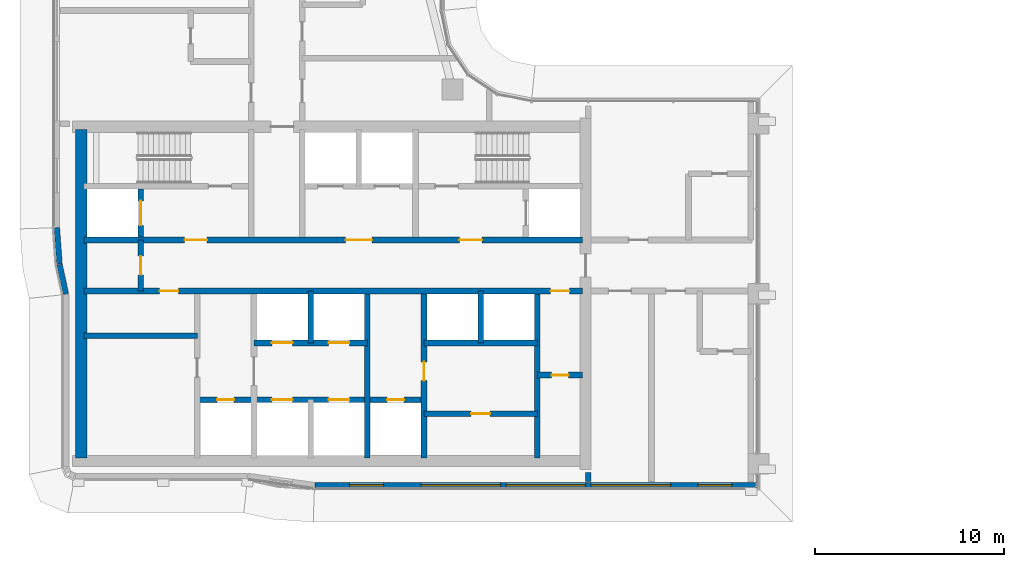
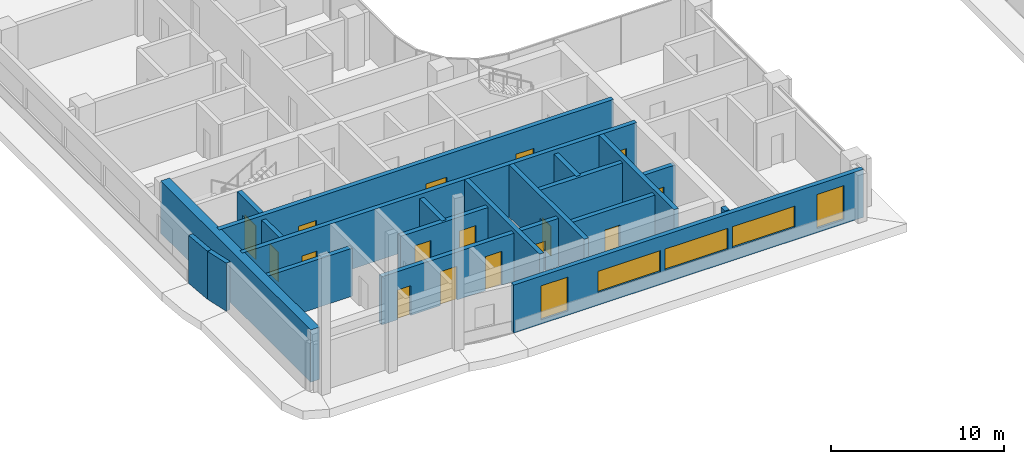
# One storey, part 11 of 27: 20 walls, 16 doors, 5 windows, 21 openings.
"""IFC4 building model written with IfcOpenShell, lengths in metres."""

from ifc_helpers import new_model, si_unit, direction, frame, frame_2d, origin, place, context, subcontext, project, spatial, rectangle, extrude, material, layer, layer_set, type_object, element, fill, save


model = new_model("IFC4")

# Units and contexts
model_context = context("Model", 3, precision=1e-05, world=origin(), true_north=direction((0.0, 1.0)))
body_context = subcontext(model_context, "Body", "Model", "MODEL_VIEW")
ifc_project = project(units=[si_unit("LENGTHUNIT", "METRE"), si_unit("AREAUNIT", "SQUARE_METRE"), si_unit("VOLUMEUNIT", "CUBIC_METRE"), si_unit("PLANEANGLEUNIT", "RADIAN"), si_unit("MASSUNIT", "GRAM", prefix="KILO")], contexts=[model_context])

# Site, building, storey
site_placement = place(None, origin())
site = spatial("IfcSite", under=ifc_project, at=site_placement, CompositionType="ELEMENT")
building_placement = place(site_placement, origin())
building = spatial("IfcBuilding", under=site, at=building_placement, Name="Ogive Portal Towers", CompositionType="ELEMENT")
storey_placement = place(building_placement, frame((0.0, 0.0, 160.699951171875)))
storey = spatial("IfcBuildingStorey", under=building, at=storey_placement, Name="L39", CompositionType="ELEMENT", Elevation=160.699951171875)

# Wall
ifc_material_1 = material(Name="Concrete C60/75", Category="concrete")
ifc_layer_1 = layer(ifc_material_1, 0.300048828125)
ifc_layer_set_1 = layer_set([ifc_layer_1], Name="CORE WALL 300 C60")
wall_type_1 = type_object("IfcWallType", Name="CORE WALL 300 C60", PredefinedType="SHEAR", material=ifc_layer_set_1)
wall_1_placement = place(storey_placement, frame((46.800048828125, 21.800048828125, 0.0), z_axis=(0.0, 0.0, 1.0), x_axis=(0.0, 1.0, 0.0)))
element("IfcWall", 1, at=wall_1_placement, inside=storey, type_object=wall_type_1, Name="Core wall X3 L39", PredefinedType="SHEAR", context=body_context, shape_type="SweptSolid", body=[
    extrude(rectangle(XDim=8.699951171875, YDim=0.300048828125, at=frame_2d((4.35009765625, 0.0))), origin(), (0.0, 0.0, 1.0), 3.699951171875),
])

# Wall, opening, door
wall_2_placement = place(storey_placement, frame((49.800048828125, 21.800048828125, 0.0), z_axis=(0.0, 0.0, 1.0), x_axis=(0.0, 1.0, 0.0)))
wall_2 = element("IfcWall", 2, at=wall_2_placement, inside=storey, type_object=wall_type_1, Name="Core wall X4 L39", PredefinedType="SHEAR", context=body_context, shape_type="SweptSolid", body=[
    extrude(rectangle(XDim=8.699951171875, YDim=0.300048828125, at=frame_2d((4.35009765625, 0.0))), origin(), (0.0, 0.0, 1.0), 3.699951171875),
])
opening_1_placement = place(wall_2_placement, frame((4.10009765625, 0.0, 0.0)))
opening_1 = element("IfcOpeningElement", 3, at=opening_1_placement, cuts=wall_2, Name="Opening D16-023", PredefinedType="OPENING", context=body_context, shape_type="SweptSolid", body=[
    extrude(rectangle(XDim=1.0, YDim=2.10009765625, at=frame_2d((0.5, 1.050048828125))), frame((0.0, 0.16015625, 0.0), z_axis=(0.0, -1.0, 0.0), x_axis=(1.0, 0.0, 0.0)), (0.0, 0.0, 1.0), 0.320068359375),
])
ifc_material_2 = material(Name="Steel fire door", Category="steel")
door_type_1 = type_object("IfcDoorType", Name="DT-SWING-1000x2100-FD90S", OperationType="SINGLE_SWING_LEFT", PredefinedType="DOOR", material=ifc_material_2)
door_1_placement = place(opening_1_placement, origin())
door_1 = element("IfcDoor", 4, at=door_1_placement, inside=storey, type_object=door_type_1, Name="Door D16-023", OperationType="SINGLE_SWING_LEFT", OverallHeight=2.10009765625, OverallWidth=1.0, PredefinedType="DOOR", context=body_context, shape_type="SweptSolid", body=[
    extrude(rectangle(XDim=1.0, YDim=2.10009765625, at=frame_2d((0.5, 1.050048828125))), frame((0.0, 0.02490234375, 0.0), z_axis=(0.0, -1.0, 0.0), x_axis=(1.0, 0.0, 0.0)), (0.0, 0.0, 1.0), 0.050048828125),
])
fill(opening_1, door_1)

# Wall
wall_3_placement = place(storey_placement, frame((55.800048828125, 21.800048828125, 0.0), z_axis=(0.0, 0.0, 1.0), x_axis=(0.0, 1.0, 0.0)))
element("IfcWall", 5, at=wall_3_placement, inside=storey, type_object=wall_type_1, Name="Core wall X5 L39", PredefinedType="SHEAR", context=body_context, shape_type="SweptSolid", body=[
    extrude(rectangle(XDim=8.699951171875, YDim=0.300048828125, at=frame_2d((4.35009765625, 0.0))), origin(), (0.0, 0.0, 1.0), 3.699951171875),
])

# Wall, openings, doors
wall_4_placement = place(storey_placement, frame((31.800048828125, 30.64990234375, 0.0), z_axis=(0.0, 0.0, 1.0), x_axis=(1.0, 0.0, 0.0)))
wall_4 = element("IfcWall", 6, at=wall_4_placement, inside=storey, type_object=wall_type_1, Name="Core wall Y1 L39", PredefinedType="SHEAR", context=body_context, shape_type="SweptSolid", body=[
    extrude(rectangle(XDim=26.39990234375, YDim=0.300048828125, at=frame_2d((13.199951171875, 0.0))), origin(), (0.0, 0.0, 1.0), 3.699951171875),
])
opening_2_placement = place(wall_4_placement, frame((24.699951171875, 0.0, 0.0)))
opening_2 = element("IfcOpeningElement", 7, at=opening_2_placement, cuts=wall_4, Name="Opening D16-009", PredefinedType="OPENING", context=body_context, shape_type="SweptSolid", body=[
    extrude(rectangle(XDim=1.0, YDim=2.10009765625, at=frame_2d((0.5, 1.050048828125))), frame((0.0, 0.16015625, 0.0), z_axis=(0.0, -1.0, 0.0), x_axis=(1.0, 0.0, 0.0)), (0.0, 0.0, 1.0), 0.320068359375),
])
opening_3_placement = place(wall_4_placement, frame((4.0, 0.0, 0.0)))
opening_3 = element("IfcOpeningElement", 8, at=opening_3_placement, cuts=wall_4, Name="Opening D16-021", PredefinedType="OPENING", context=body_context, shape_type="SweptSolid", body=[
    extrude(rectangle(XDim=1.0, YDim=2.10009765625, at=frame_2d((0.5, 1.050048828125))), frame((0.0, 0.16015625, 0.0), z_axis=(0.0, -1.0, 0.0), x_axis=(1.0, 0.0, 0.0)), (0.0, 0.0, 1.0), 0.320068359375),
])
door_2_placement = place(opening_2_placement, origin())
door_2 = element("IfcDoor", 9, at=door_2_placement, inside=storey, type_object=door_type_1, Name="Door D16-009", OperationType="SINGLE_SWING_LEFT", OverallHeight=2.10009765625, OverallWidth=1.0, PredefinedType="DOOR", context=body_context, shape_type="SweptSolid", body=[
    extrude(rectangle(XDim=1.0, YDim=2.10009765625, at=frame_2d((0.5, 1.050048828125))), frame((0.0, 0.02490234375, 0.0), z_axis=(0.0, -1.0, 0.0), x_axis=(1.0, 0.0, 0.0)), (0.0, 0.0, 1.0), 0.050048828125),
])
fill(opening_2, door_2)
door_3_placement = place(opening_3_placement, origin())
door_3 = element("IfcDoor", 10, at=door_3_placement, inside=storey, type_object=door_type_1, Name="Riser access door D16-021", OperationType="SINGLE_SWING_LEFT", OverallHeight=2.10009765625, OverallWidth=1.0, PredefinedType="DOOR", context=body_context, shape_type="SweptSolid", body=[
    extrude(rectangle(XDim=1.0, YDim=2.10009765625, at=frame_2d((0.5, 1.050048828125))), frame((0.0, 0.02490234375, 0.0), z_axis=(0.0, -1.0, 0.0), x_axis=(1.0, 0.0, 0.0)), (0.0, 0.0, 1.0), 0.050048828125),
])
fill(opening_3, door_3)

wall_5_placement = place(storey_placement, frame((31.800048828125, 33.35009765625, 0.0), z_axis=(0.0, 0.0, 1.0), x_axis=(1.0, 0.0, 0.0)))
wall_5 = element("IfcWall", 11, at=wall_5_placement, inside=storey, type_object=wall_type_1, Name="Core wall Y2 L39", PredefinedType="SHEAR", context=body_context, shape_type="SweptSolid", body=[
    extrude(rectangle(XDim=26.39990234375, YDim=0.300048828125, at=frame_2d((13.199951171875, 0.0))), origin(), (0.0, 0.0, 1.0), 3.699951171875),
])
opening_4_placement = place(wall_5_placement, frame((13.85009765625, 0.0, 0.0)))
opening_4 = element("IfcOpeningElement", 12, at=opening_4_placement, cuts=wall_5, Name="Opening D16-002", PredefinedType="OPENING", context=body_context, shape_type="SweptSolid", body=[
    extrude(rectangle(XDim=1.39990234375, YDim=2.10009765625, at=frame_2d((0.699951171875, 1.050048828125))), frame((0.0, 0.16015625, 0.0), z_axis=(0.0, -1.0, 0.0), x_axis=(1.0, 0.0, 0.0)), (0.0, 0.0, 1.0), 0.320068359375),
])
opening_5_placement = place(wall_5_placement, frame((5.324951171875, 0.0, 0.0)))
opening_5 = element("IfcOpeningElement", 13, at=opening_5_placement, cuts=wall_5, Name="Opening D16-003", PredefinedType="OPENING", context=body_context, shape_type="SweptSolid", body=[
    extrude(rectangle(XDim=1.199951171875, YDim=2.10009765625, at=frame_2d((0.60009765625, 1.050048828125))), frame((0.0, 0.16015625, 0.0), z_axis=(0.0, -1.0, 0.0), x_axis=(1.0, 0.0, 0.0)), (0.0, 0.0, 1.0), 0.320068359375),
])
opening_6_placement = place(wall_5_placement, frame((19.875, 0.0, 0.0)))
opening_6 = element("IfcOpeningElement", 14, at=opening_6_placement, cuts=wall_5, Name="Opening D16-004", PredefinedType="OPENING", context=body_context, shape_type="SweptSolid", body=[
    extrude(rectangle(XDim=1.199951171875, YDim=2.10009765625, at=frame_2d((0.60009765625, 1.050048828125))), frame((0.0, 0.16015625, 0.0), z_axis=(0.0, -1.0, 0.0), x_axis=(1.0, 0.0, 0.0)), (0.0, 0.0, 1.0), 0.320068359375),
])
door_type_2 = type_object("IfcDoorType", Name="DT-SWING-1200x2100-FD90S", OperationType="SINGLE_SWING_LEFT", PredefinedType="DOOR", material=ifc_material_2)
door_4_placement = place(opening_5_placement, origin())
door_4 = element("IfcDoor", 15, at=door_4_placement, inside=storey, type_object=door_type_2, Name="Door D16-003", OperationType="SINGLE_SWING_LEFT", OverallHeight=2.10009765625, OverallWidth=1.199951171875, PredefinedType="DOOR", context=body_context, shape_type="SweptSolid", body=[
    extrude(rectangle(XDim=1.199951171875, YDim=2.10009765625, at=frame_2d((0.60009765625, 1.050048828125))), frame((0.0, 0.02490234375, 0.0), z_axis=(0.0, -1.0, 0.0), x_axis=(1.0, 0.0, 0.0)), (0.0, 0.0, 1.0), 0.050048828125),
])
fill(opening_5, door_4)
door_5_placement = place(opening_6_placement, origin())
door_5 = element("IfcDoor", 16, at=door_5_placement, inside=storey, type_object=door_type_2, Name="Door D16-004", OperationType="SINGLE_SWING_RIGHT", OverallHeight=2.10009765625, OverallWidth=1.199951171875, PredefinedType="DOOR", context=body_context, shape_type="SweptSolid", body=[
    extrude(rectangle(XDim=1.199951171875, YDim=2.10009765625, at=frame_2d((0.60009765625, 1.050048828125))), frame((0.0, 0.02490234375, 0.0), z_axis=(0.0, -1.0, 0.0), x_axis=(1.0, 0.0, 0.0)), (0.0, 0.0, 1.0), 0.050048828125),
])
fill(opening_6, door_5)
door_type_3 = type_object("IfcDoorType", Name="DT-SWING-1400x2100-FD90S", OperationType="SINGLE_SWING_LEFT", PredefinedType="DOOR", material=ifc_material_2)
door_6_placement = place(opening_4_placement, origin())
door_6 = element("IfcDoor", 17, at=door_6_placement, inside=storey, type_object=door_type_3, Name="Door D16-002", OperationType="SINGLE_SWING_RIGHT", OverallHeight=2.10009765625, OverallWidth=1.39990234375, PredefinedType="DOOR", context=body_context, shape_type="SweptSolid", body=[
    extrude(rectangle(XDim=1.39990234375, YDim=2.10009765625, at=frame_2d((0.699951171875, 1.050048828125))), frame((0.0, 0.02490234375, 0.0), z_axis=(0.0, -1.0, 0.0), x_axis=(1.0, 0.0, 0.0)), (0.0, 0.0, 1.0), 0.050048828125),
])
fill(opening_4, door_6)

# Wall, opening, door
wall_6_placement = place(storey_placement, frame((34.800048828125, 33.5, 0.0), z_axis=(0.0, 0.0, 1.0), x_axis=(0.0, 1.0, 0.0)))
wall_6 = element("IfcWall", 18, at=wall_6_placement, inside=storey, type_object=wall_type_1, Name="Core wall X8 L39", PredefinedType="SHEAR", context=body_context, shape_type="SweptSolid", body=[
    extrude(rectangle(XDim=2.550048828125, YDim=0.300048828125, at=frame_2d((1.27490234375, 0.0))), origin(), (0.0, 0.0, 1.0), 3.699951171875),
])
opening_7_placement = place(wall_6_placement, frame((0.625, 0.0, 0.0)))
opening_7 = element("IfcOpeningElement", 19, at=opening_7_placement, cuts=wall_6, Name="Opening D16-019", PredefinedType="OPENING", context=body_context, shape_type="SweptSolid", body=[
    extrude(rectangle(XDim=1.300048828125, YDim=2.39990234375, at=frame_2d((0.64990234375, 1.199951171875))), frame((0.0, 0.16015625, 0.0), z_axis=(0.0, -1.0, 0.0), x_axis=(1.0, 0.0, 0.0)), (0.0, 0.0, 1.0), 0.320068359375),
])
ifc_material_3 = material(Name="Stainless steel", Category="steel")
door_type_4 = type_object("IfcDoorType", Name="DT-LD-1300x2400", OperationType="SLIDING_TO_LEFT", PredefinedType="DOOR", material=ifc_material_3)
door_7_placement = place(opening_7_placement, origin())
door_7 = element("IfcDoor", 20, at=door_7_placement, inside=storey, type_object=door_type_4, Name="Door D16-019", OperationType="SLIDING_TO_LEFT", OverallHeight=2.39990234375, OverallWidth=1.300048828125, PredefinedType="DOOR", context=body_context, shape_type="SweptSolid", body=[
    extrude(rectangle(XDim=1.300048828125, YDim=2.39990234375, at=frame_2d((0.64990234375, 1.199951171875))), frame((0.0, 0.02490234375, 0.0), z_axis=(0.0, -1.0, 0.0), x_axis=(1.0, 0.0, 0.0)), (0.0, 0.0, 1.0), 0.050048828125),
])
fill(opening_7, door_7)

# Wall
ifc_layer_2 = layer(ifc_material_1, 0.60009765625)
ifc_layer_set_2 = layer_set([ifc_layer_2], Name="CORE WALL 600 C60")
wall_type_2 = type_object("IfcWallType", Name="CORE WALL 600 C60", PredefinedType="SHEAR", material=ifc_layer_set_2)
wall_7_placement = place(storey_placement, frame((31.64990234375, 21.800048828125, 0.0), z_axis=(0.0, 0.0, 1.0), x_axis=(0.0, 1.0, 0.0)))
element("IfcWall", 21, at=wall_7_placement, inside=storey, type_object=wall_type_2, Name="Core wall W L39", PredefinedType="SHEAR", context=body_context, shape_type="SweptSolid", body=[
    extrude(rectangle(XDim=17.39990234375, YDim=0.60009765625, at=frame_2d((8.699951171875, 0.0))), origin(), (0.0, 0.0, 1.0), 3.699951171875),
])

# Wall, openings, windows
ifc_material_4 = material(Name="Limestone cladding on lightweight block wall", Category="masonry")
ifc_layer_3 = layer(ifc_material_4, 0.300048828125)
ifc_layer_set_3 = layer_set([ifc_layer_3], Name="EXTERNAL WALL 300 STONE")
wall_type_3 = type_object("IfcWallType", Name="EXTERNAL WALL 300 STONE", PredefinedType="SOLIDWALL", material=ifc_layer_set_3)
wall_8_placement = place(storey_placement, frame((44.0205078125, 20.364990234375, 0.0), z_axis=(0.0, 0.0, 1.0), x_axis=(1.0, 0.0, 0.0)))
wall_8 = element("IfcWall", 22, at=wall_8_placement, inside=storey, type_object=wall_type_3, Name="A:L39:f05:r0:wall", PredefinedType="SOLIDWALL", context=body_context, shape_type="SweptSolid", body=[
    extrude(rectangle(XDim=23.3994140625, YDim=0.300048828125, at=frame_2d((11.69970703125, 0.0))), origin(), (0.0, 0.0, 1.0), 3.400146484375),
])
opening_8_placement = place(wall_8_placement, frame((1.83984375, 0.0, 0.300048828125)))
opening_8 = element("IfcOpeningElement", 23, at=opening_8_placement, cuts=wall_8, Name="Opening WN10", PredefinedType="OPENING", context=body_context, shape_type="SweptSolid", body=[
    extrude(rectangle(XDim=1.800048828125, YDim=2.39990234375, at=frame_2d((0.89990234375, 1.199951171875))), frame((0.0, 0.16015625, 0.0), z_axis=(0.0, -1.0, 0.0), x_axis=(1.0, 0.0, 0.0)), (0.0, 0.0, 1.0), 0.320068359375),
])
opening_9_placement = place(wall_8_placement, frame((5.629638671875, 0.0, 0.89990234375)))
opening_9 = element("IfcOpeningElement", 24, at=opening_9_placement, cuts=wall_8, Name="Opening WN11", PredefinedType="OPENING", context=body_context, shape_type="SweptSolid", body=[
    extrude(rectangle(XDim=4.199951171875, YDim=1.5, at=frame_2d((2.10009765625, 0.75))), frame((0.0, 0.16015625, 0.0), z_axis=(0.0, -1.0, 0.0), x_axis=(1.0, 0.0, 0.0)), (0.0, 0.0, 1.0), 0.320068359375),
])
opening_10_placement = place(wall_8_placement, frame((10.129638671875, 0.0, 0.89990234375)))
opening_10 = element("IfcOpeningElement", 25, at=opening_10_placement, cuts=wall_8, Name="Opening WN11", PredefinedType="OPENING", context=body_context, shape_type="SweptSolid", body=[
    extrude(rectangle(XDim=4.199951171875, YDim=1.5, at=frame_2d((2.10009765625, 0.75))), frame((0.0, 0.16015625, 0.0), z_axis=(0.0, -1.0, 0.0), x_axis=(1.0, 0.0, 0.0)), (0.0, 0.0, 1.0), 0.320068359375),
])
opening_11_placement = place(wall_8_placement, frame((14.629638671875, 0.0, 0.89990234375)))
opening_11 = element("IfcOpeningElement", 26, at=opening_11_placement, cuts=wall_8, Name="Opening WN11", PredefinedType="OPENING", context=body_context, shape_type="SweptSolid", body=[
    extrude(rectangle(XDim=4.199951171875, YDim=1.5, at=frame_2d((2.10009765625, 0.75))), frame((0.0, 0.16015625, 0.0), z_axis=(0.0, -1.0, 0.0), x_axis=(1.0, 0.0, 0.0)), (0.0, 0.0, 1.0), 0.320068359375),
])
opening_12_placement = place(wall_8_placement, frame((20.28955078125, 0.0, 0.300048828125)))
opening_12 = element("IfcOpeningElement", 27, at=opening_12_placement, cuts=wall_8, Name="Opening WN10", PredefinedType="OPENING", context=body_context, shape_type="SweptSolid", body=[
    extrude(rectangle(XDim=1.800048828125, YDim=2.39990234375, at=frame_2d((0.89990234375, 1.199951171875))), frame((0.0, 0.16015625, 0.0), z_axis=(0.0, -1.0, 0.0), x_axis=(1.0, 0.0, 0.0)), (0.0, 0.0, 1.0), 0.320068359375),
])
ifc_material_5 = material(Name="Glass, clear low-iron insulated glazing", Category="glass")
window_type_1 = type_object("IfcWindowType", Name="WINDOW RIBBON 4200x1500", PartitioningType="TRIPLE_PANEL_VERTICAL", PredefinedType="WINDOW", material=ifc_material_5)
window_1_placement = place(opening_9_placement, origin())
window_1 = element("IfcWindow", 28, at=window_1_placement, inside=storey, type_object=window_type_1, Name="A:L39:f05:r0:w1", OverallHeight=1.5, OverallWidth=4.199951171875, PartitioningType="SINGLE_PANEL", PredefinedType="WINDOW", context=body_context, shape_type="SweptSolid", body=[
    extrude(rectangle(XDim=4.199951171875, YDim=1.5, at=frame_2d((2.10009765625, 0.75))), frame((0.0, 0.030029296875, 0.0), z_axis=(0.0, -1.0, 0.0), x_axis=(1.0, 0.0, 0.0)), (0.0, 0.0, 1.0), 0.06005859375),
])
fill(opening_9, window_1)
window_2_placement = place(opening_10_placement, origin())
window_2 = element("IfcWindow", 29, at=window_2_placement, inside=storey, type_object=window_type_1, Name="A:L39:f05:r0:w2", OverallHeight=1.5, OverallWidth=4.199951171875, PartitioningType="SINGLE_PANEL", PredefinedType="WINDOW", context=body_context, shape_type="SweptSolid", body=[
    extrude(rectangle(XDim=4.199951171875, YDim=1.5, at=frame_2d((2.10009765625, 0.75))), frame((0.0, 0.030029296875, 0.0), z_axis=(0.0, -1.0, 0.0), x_axis=(1.0, 0.0, 0.0)), (0.0, 0.0, 1.0), 0.06005859375),
])
fill(opening_10, window_2)
window_3_placement = place(opening_11_placement, origin())
window_3 = element("IfcWindow", 30, at=window_3_placement, inside=storey, type_object=window_type_1, Name="A:L39:f05:r0:w3", OverallHeight=1.5, OverallWidth=4.199951171875, PartitioningType="SINGLE_PANEL", PredefinedType="WINDOW", context=body_context, shape_type="SweptSolid", body=[
    extrude(rectangle(XDim=4.199951171875, YDim=1.5, at=frame_2d((2.10009765625, 0.75))), frame((0.0, 0.030029296875, 0.0), z_axis=(0.0, -1.0, 0.0), x_axis=(1.0, 0.0, 0.0)), (0.0, 0.0, 1.0), 0.06005859375),
])
fill(opening_11, window_3)
window_type_2 = type_object("IfcWindowType", Name="WINDOW SUITE CORNER 1800x2400", PartitioningType="DOUBLE_PANEL_VERTICAL", PredefinedType="WINDOW", material=ifc_material_5)
window_4_placement = place(opening_8_placement, origin())
window_4 = element("IfcWindow", 31, at=window_4_placement, inside=storey, type_object=window_type_2, Name="A:L39:f05:r0:w0", OverallHeight=2.39990234375, OverallWidth=1.800048828125, PartitioningType="SINGLE_PANEL", PredefinedType="WINDOW", context=body_context, shape_type="SweptSolid", body=[
    extrude(rectangle(XDim=1.800048828125, YDim=2.39990234375, at=frame_2d((0.89990234375, 1.199951171875))), frame((0.0, 0.030029296875, 0.0), z_axis=(0.0, -1.0, 0.0), x_axis=(1.0, 0.0, 0.0)), (0.0, 0.0, 1.0), 0.06005859375),
])
fill(opening_8, window_4)
window_5_placement = place(opening_12_placement, origin())
window_5 = element("IfcWindow", 32, at=window_5_placement, inside=storey, type_object=window_type_2, Name="A:L39:f05:r0:w4", OverallHeight=2.39990234375, OverallWidth=1.800048828125, PartitioningType="SINGLE_PANEL", PredefinedType="WINDOW", context=body_context, shape_type="SweptSolid", body=[
    extrude(rectangle(XDim=1.800048828125, YDim=2.39990234375, at=frame_2d((0.89990234375, 1.199951171875))), frame((0.0, 0.030029296875, 0.0), z_axis=(0.0, -1.0, 0.0), x_axis=(1.0, 0.0, 0.0)), (0.0, 0.0, 1.0), 0.06005859375),
])
fill(opening_12, window_5)

# Walls
wall_9_placement = place(storey_placement, frame((30.365478515625, 34.0, 0.0), z_axis=(0.0, 0.0, 1.0), x_axis=(0.071300859436, -0.99745485484, 0.0)))
element("IfcWall", 33, at=wall_9_placement, inside=storey, type_object=wall_type_3, Name="A:L39:f20:r0:wall", PredefinedType="SOLIDWALL", context=body_context, shape_type="SweptSolid", body=[
    extrude(rectangle(XDim=1.9345703125, YDim=0.300048828125, at=frame_2d((0.96728515625, 0.0))), origin(), (0.0, 0.0, 1.0), 3.400146484375),
])
wall_10_placement = place(storey_placement, frame((30.50634765625, 32.049072265625, 0.0), z_axis=(0.0, 0.0, 1.0), x_axis=(0.212695686462, -0.977118490747, 0.0)))
element("IfcWall", 34, at=wall_10_placement, inside=storey, type_object=wall_type_3, Name="A:L39:f21:r0:wall", PredefinedType="SOLIDWALL", context=body_context, shape_type="SweptSolid", body=[
    extrude(rectangle(XDim=1.60009765625, YDim=0.300048828125, at=frame_2d((0.800048828125, 0.0))), origin(), (0.0, 0.0, 1.0), 3.400146484375),
])

# Wall, opening, door
ifc_material_6 = material(Name="Gypsum board partition on steel studs", Category="steel")
ifc_layer_4 = layer(ifc_material_6, 0.300048828125)
ifc_layer_set_4 = layer_set([ifc_layer_4], Name="WT-PART-300")
wall_type_4 = type_object("IfcWallType", Name="WT-PART-300", PredefinedType="PARTITIONING", material=ifc_layer_set_4)
wall_11_placement = place(storey_placement, frame((49.800048828125, 24.14990234375, 0.0), z_axis=(0.0, 0.0, 1.0), x_axis=(1.0, 0.0, 0.0)))
wall_11 = element("IfcWall", 35, at=wall_11_placement, inside=storey, type_object=wall_type_4, Name="Wall pw:001:L39", PredefinedType="PARTITIONING", context=body_context, shape_type="SweptSolid", body=[
    extrude(rectangle(XDim=6.0, YDim=0.300048828125, at=frame_2d((3.0, 0.0))), origin(), (0.0, 0.0, 1.0), 3.400146484375),
])
opening_13_placement = place(wall_11_placement, frame((2.5, 0.0, 0.0)))
opening_13 = element("IfcOpeningElement", 36, at=opening_13_placement, cuts=wall_11, Name="Opening D16-024", PredefinedType="OPENING", context=body_context, shape_type="SweptSolid", body=[
    extrude(rectangle(XDim=1.0, YDim=2.10009765625, at=frame_2d((0.5, 1.050048828125))), frame((0.0, 0.16015625, 0.0), z_axis=(0.0, -1.0, 0.0), x_axis=(1.0, 0.0, 0.0)), (0.0, 0.0, 1.0), 0.320068359375),
])
door_type_5 = type_object("IfcDoorType", Name="DT-SWING-1000x2100-FD60S", OperationType="SINGLE_SWING_LEFT", PredefinedType="DOOR", material=ifc_material_2)
door_8_placement = place(opening_13_placement, origin())
door_8 = element("IfcDoor", 37, at=door_8_placement, inside=storey, type_object=door_type_5, Name="Door D16-024", OperationType="SINGLE_SWING_RIGHT", OverallHeight=2.10009765625, OverallWidth=1.0, PredefinedType="DOOR", context=body_context, shape_type="SweptSolid", body=[
    extrude(rectangle(XDim=1.0, YDim=2.10009765625, at=frame_2d((0.5, 1.050048828125))), frame((0.0, 0.02490234375, 0.0), z_axis=(0.0, -1.0, 0.0), x_axis=(1.0, 0.0, 0.0)), (0.0, 0.0, 1.0), 0.050048828125),
])
fill(opening_13, door_8)

wall_12_placement = place(storey_placement, frame((55.800048828125, 26.199951171875, 0.0), z_axis=(0.0, 0.0, 1.0), x_axis=(1.0, 0.0, 0.0)))
wall_12 = element("IfcWall", 38, at=wall_12_placement, inside=storey, type_object=wall_type_4, Name="Wall pw:003:L39", PredefinedType="PARTITIONING", context=body_context, shape_type="SweptSolid", body=[
    extrude(rectangle(XDim=2.39990234375, YDim=0.300048828125, at=frame_2d((1.199951171875, 0.0))), origin(), (0.0, 0.0, 1.0), 3.400146484375),
])
opening_14_placement = place(wall_12_placement, frame((0.75, 0.0, 0.0)))
opening_14 = element("IfcOpeningElement", 39, at=opening_14_placement, cuts=wall_12, Name="Opening D16-010", PredefinedType="OPENING", context=body_context, shape_type="SweptSolid", body=[
    extrude(rectangle(XDim=0.89990234375, YDim=2.10009765625, at=frame_2d((0.449951171875, 1.050048828125))), frame((0.0, 0.16015625, 0.0), z_axis=(0.0, -1.0, 0.0), x_axis=(1.0, 0.0, 0.0)), (0.0, 0.0, 1.0), 0.320068359375),
])
door_type_6 = type_object("IfcDoorType", Name="DT-SWING-900x2100-FD60S", OperationType="SINGLE_SWING_LEFT", PredefinedType="DOOR", material=ifc_material_2)
door_9_placement = place(opening_14_placement, origin())
door_9 = element("IfcDoor", 40, at=door_9_placement, inside=storey, type_object=door_type_6, Name="Door D16-010", OperationType="SINGLE_SWING_RIGHT", OverallHeight=2.10009765625, OverallWidth=0.89990234375, PredefinedType="DOOR", context=body_context, shape_type="SweptSolid", body=[
    extrude(rectangle(XDim=0.89990234375, YDim=2.10009765625, at=frame_2d((0.449951171875, 1.050048828125))), frame((0.0, 0.02490234375, 0.0), z_axis=(0.0, -1.0, 0.0), x_axis=(1.0, 0.0, 0.0)), (0.0, 0.0, 1.0), 0.050048828125),
])
fill(opening_14, door_9)

# Walls
wall_13_placement = place(storey_placement, frame((31.800048828125, 28.277099609375, 0.0), z_axis=(0.0, 0.0, 1.0), x_axis=(1.0, 0.0, 0.0)))
element("IfcWall", 41, at=wall_13_placement, inside=storey, type_object=wall_type_4, Name="Wall pw:006:L39", PredefinedType="PARTITIONING", context=body_context, shape_type="SweptSolid", body=[
    extrude(rectangle(XDim=6.0, YDim=0.300048828125, at=frame_2d((3.0, 0.0))), origin(), (0.0, 0.0, 1.0), 3.400146484375),
])
ifc_layer_5 = layer(ifc_material_6, 0.300048828125)
ifc_layer_set_5 = layer_set([ifc_layer_5], Name="WT-PART-300-EI 60")
wall_type_5 = type_object("IfcWallType", Name="WT-PART-300-EI 60", PredefinedType="PARTITIONING", material=ifc_layer_set_5)
wall_14_placement = place(storey_placement, frame((58.5, 20.56494140625, 0.0), z_axis=(0.0, 0.0, 1.0), x_axis=(0.0, 1.0, 0.0)))
element("IfcWall", 42, at=wall_14_placement, inside=storey, type_object=wall_type_5, Name="Wall L39:w037", PredefinedType="PARTITIONING", context=body_context, shape_type="SweptSolid", body=[
    extrude(rectangle(XDim=0.465087890625, YDim=0.300048828125, at=frame_2d((0.232421875, 0.0))), origin(), (0.0, 0.0, 1.0), 3.400146484375),
])

# Wall, openings, doors
ifc_material_7 = material(Name="Concrete C40/50", Category="concrete")
ifc_layer_6 = layer(ifc_material_7, 0.300048828125)
ifc_layer_set_6 = layer_set([ifc_layer_6], Name="WT-SHAFT-300")
wall_type_6 = type_object("IfcWallType", Name="WT-SHAFT-300", PredefinedType="SOLIDWALL", material=ifc_layer_set_6)
wall_15_placement = place(storey_placement, frame((37.800048828125, 24.89990234375, 0.0), z_axis=(0.0, 0.0, 1.0), x_axis=(1.0, 0.0, 0.0)))
wall_15 = element("IfcWall", 43, at=wall_15_placement, inside=storey, type_object=wall_type_6, Name="Wall pw:002:L39", PredefinedType="SOLIDWALL", context=body_context, shape_type="SweptSolid", body=[
    extrude(rectangle(XDim=12.0, YDim=0.300048828125, at=frame_2d((6.0, 0.0))), origin(), (0.0, 0.0, 1.0), 3.400146484375),
])
opening_15_placement = place(wall_15_placement, frame((1.050048828125, 0.0, 0.0)))
opening_15 = element("IfcOpeningElement", 44, at=opening_15_placement, cuts=wall_15, Name="Opening D16-007", PredefinedType="OPENING", context=body_context, shape_type="SweptSolid", body=[
    extrude(rectangle(XDim=0.89990234375, YDim=2.10009765625, at=frame_2d((0.449951171875, 1.050048828125))), frame((0.0, 0.16015625, 0.0), z_axis=(0.0, -1.0, 0.0), x_axis=(1.0, 0.0, 0.0)), (0.0, 0.0, 1.0), 0.320068359375),
])
opening_16_placement = place(wall_15_placement, frame((10.050048828125, 0.0, 0.0)))
opening_16 = element("IfcOpeningElement", 45, at=opening_16_placement, cuts=wall_15, Name="Opening D16-008", PredefinedType="OPENING", context=body_context, shape_type="SweptSolid", body=[
    extrude(rectangle(XDim=0.89990234375, YDim=2.10009765625, at=frame_2d((0.449951171875, 1.050048828125))), frame((0.0, 0.16015625, 0.0), z_axis=(0.0, -1.0, 0.0), x_axis=(1.0, 0.0, 0.0)), (0.0, 0.0, 1.0), 0.320068359375),
])
opening_17_placement = place(wall_15_placement, frame((3.949951171875, 0.0, 0.0)))
opening_17 = element("IfcOpeningElement", 46, at=opening_17_placement, cuts=wall_15, Name="Opening D16-013", PredefinedType="OPENING", context=body_context, shape_type="SweptSolid", body=[
    extrude(rectangle(XDim=1.10009765625, YDim=2.39990234375, at=frame_2d((0.550048828125, 1.199951171875))), frame((0.0, 0.16015625, 0.0), z_axis=(0.0, -1.0, 0.0), x_axis=(1.0, 0.0, 0.0)), (0.0, 0.0, 1.0), 0.320068359375),
])
opening_18_placement = place(wall_15_placement, frame((6.949951171875, 0.0, 0.0)))
opening_18 = element("IfcOpeningElement", 47, at=opening_18_placement, cuts=wall_15, Name="Opening D16-014", PredefinedType="OPENING", context=body_context, shape_type="SweptSolid", body=[
    extrude(rectangle(XDim=1.10009765625, YDim=2.39990234375, at=frame_2d((0.550048828125, 1.199951171875))), frame((0.0, 0.16015625, 0.0), z_axis=(0.0, -1.0, 0.0), x_axis=(1.0, 0.0, 0.0)), (0.0, 0.0, 1.0), 0.320068359375),
])
door_type_7 = type_object("IfcDoorType", Name="DT-LD-1100x2400", OperationType="SLIDING_TO_LEFT", PredefinedType="DOOR", material=ifc_material_3)
door_10_placement = place(opening_17_placement, origin())
door_10 = element("IfcDoor", 48, at=door_10_placement, inside=storey, type_object=door_type_7, Name="Door D16-013", OperationType="SLIDING_TO_LEFT", OverallHeight=2.39990234375, OverallWidth=1.10009765625, PredefinedType="DOOR", context=body_context, shape_type="SweptSolid", body=[
    extrude(rectangle(XDim=1.10009765625, YDim=2.39990234375, at=frame_2d((0.550048828125, 1.199951171875))), frame((0.0, 0.02490234375, 0.0), z_axis=(0.0, -1.0, 0.0), x_axis=(1.0, 0.0, 0.0)), (0.0, 0.0, 1.0), 0.050048828125),
])
fill(opening_17, door_10)
door_11_placement = place(opening_18_placement, origin())
door_11 = element("IfcDoor", 49, at=door_11_placement, inside=storey, type_object=door_type_7, Name="Door D16-014", OperationType="SLIDING_TO_LEFT", OverallHeight=2.39990234375, OverallWidth=1.10009765625, PredefinedType="DOOR", context=body_context, shape_type="SweptSolid", body=[
    extrude(rectangle(XDim=1.10009765625, YDim=2.39990234375, at=frame_2d((0.550048828125, 1.199951171875))), frame((0.0, 0.02490234375, 0.0), z_axis=(0.0, -1.0, 0.0), x_axis=(1.0, 0.0, 0.0)), (0.0, 0.0, 1.0), 0.050048828125),
])
fill(opening_18, door_11)
door_type_8 = type_object("IfcDoorType", Name="DT-SWING-900x2100-FD90S", OperationType="SINGLE_SWING_LEFT", PredefinedType="DOOR", material=ifc_material_2)
door_12_placement = place(opening_15_placement, origin())
door_12 = element("IfcDoor", 50, at=door_12_placement, inside=storey, type_object=door_type_8, Name="Riser access door D16-007", OperationType="SINGLE_SWING_LEFT", OverallHeight=2.10009765625, OverallWidth=0.89990234375, PredefinedType="DOOR", context=body_context, shape_type="SweptSolid", body=[
    extrude(rectangle(XDim=0.89990234375, YDim=2.10009765625, at=frame_2d((0.449951171875, 1.050048828125))), frame((0.0, 0.02490234375, 0.0), z_axis=(0.0, -1.0, 0.0), x_axis=(1.0, 0.0, 0.0)), (0.0, 0.0, 1.0), 0.050048828125),
])
fill(opening_15, door_12)
door_13_placement = place(opening_16_placement, origin())
door_13 = element("IfcDoor", 51, at=door_13_placement, inside=storey, type_object=door_type_8, Name="Riser access door D16-008", OperationType="SINGLE_SWING_RIGHT", OverallHeight=2.10009765625, OverallWidth=0.89990234375, PredefinedType="DOOR", context=body_context, shape_type="SweptSolid", body=[
    extrude(rectangle(XDim=0.89990234375, YDim=2.10009765625, at=frame_2d((0.449951171875, 1.050048828125))), frame((0.0, 0.02490234375, 0.0), z_axis=(0.0, -1.0, 0.0), x_axis=(1.0, 0.0, 0.0)), (0.0, 0.0, 1.0), 0.050048828125),
])
fill(opening_16, door_13)

wall_16_placement = place(storey_placement, frame((40.800048828125, 27.89990234375, 0.0), z_axis=(0.0, 0.0, 1.0), x_axis=(1.0, 0.0, 0.0)))
wall_16 = element("IfcWall", 52, at=wall_16_placement, inside=storey, type_object=wall_type_6, Name="Wall pw:004:L39", PredefinedType="SOLIDWALL", context=body_context, shape_type="SweptSolid", body=[
    extrude(rectangle(XDim=6.0, YDim=0.300048828125, at=frame_2d((3.0, 0.0))), origin(), (0.0, 0.0, 1.0), 3.400146484375),
])
opening_19_placement = place(wall_16_placement, frame((0.949951171875, 0.0, 0.0)))
opening_19 = element("IfcOpeningElement", 53, at=opening_19_placement, cuts=wall_16, Name="Opening D16-015", PredefinedType="OPENING", context=body_context, shape_type="SweptSolid", body=[
    extrude(rectangle(XDim=1.10009765625, YDim=2.39990234375, at=frame_2d((0.550048828125, 1.199951171875))), frame((0.0, 0.16015625, 0.0), z_axis=(0.0, -1.0, 0.0), x_axis=(1.0, 0.0, 0.0)), (0.0, 0.0, 1.0), 0.320068359375),
])
opening_20_placement = place(wall_16_placement, frame((3.949951171875, 0.0, 0.0)))
opening_20 = element("IfcOpeningElement", 54, at=opening_20_placement, cuts=wall_16, Name="Opening D16-016", PredefinedType="OPENING", context=body_context, shape_type="SweptSolid", body=[
    extrude(rectangle(XDim=1.10009765625, YDim=2.39990234375, at=frame_2d((0.550048828125, 1.199951171875))), frame((0.0, 0.16015625, 0.0), z_axis=(0.0, -1.0, 0.0), x_axis=(1.0, 0.0, 0.0)), (0.0, 0.0, 1.0), 0.320068359375),
])
door_14_placement = place(opening_19_placement, origin())
door_14 = element("IfcDoor", 55, at=door_14_placement, inside=storey, type_object=door_type_7, Name="Door D16-015", OperationType="SLIDING_TO_LEFT", OverallHeight=2.39990234375, OverallWidth=1.10009765625, PredefinedType="DOOR", context=body_context, shape_type="SweptSolid", body=[
    extrude(rectangle(XDim=1.10009765625, YDim=2.39990234375, at=frame_2d((0.550048828125, 1.199951171875))), frame((0.0, 0.02490234375, 0.0), z_axis=(0.0, -1.0, 0.0), x_axis=(1.0, 0.0, 0.0)), (0.0, 0.0, 1.0), 0.050048828125),
])
fill(opening_19, door_14)
door_15_placement = place(opening_20_placement, origin())
door_15 = element("IfcDoor", 56, at=door_15_placement, inside=storey, type_object=door_type_7, Name="Door D16-016", OperationType="SLIDING_TO_LEFT", OverallHeight=2.39990234375, OverallWidth=1.10009765625, PredefinedType="DOOR", context=body_context, shape_type="SweptSolid", body=[
    extrude(rectangle(XDim=1.10009765625, YDim=2.39990234375, at=frame_2d((0.550048828125, 1.199951171875))), frame((0.0, 0.02490234375, 0.0), z_axis=(0.0, -1.0, 0.0), x_axis=(1.0, 0.0, 0.0)), (0.0, 0.0, 1.0), 0.050048828125),
])
fill(opening_20, door_15)

# Wall
wall_17_placement = place(storey_placement, frame((49.800048828125, 27.89990234375, 0.0), z_axis=(0.0, 0.0, 1.0), x_axis=(1.0, 0.0, 0.0)))
element("IfcWall", 57, at=wall_17_placement, inside=storey, type_object=wall_type_6, Name="Wall pw:005:L39", PredefinedType="SOLIDWALL", context=body_context, shape_type="SweptSolid", body=[
    extrude(rectangle(XDim=6.0, YDim=0.300048828125, at=frame_2d((3.0, 0.0))), origin(), (0.0, 0.0, 1.0), 3.400146484375),
])

# Wall, opening, door
wall_18_placement = place(storey_placement, frame((34.800048828125, 30.64990234375, 0.0), z_axis=(0.0, 0.0, 1.0), x_axis=(0.0, 1.0, 0.0)))
wall_18 = element("IfcWall", 58, at=wall_18_placement, inside=storey, type_object=wall_type_6, Name="Wall pw:007:L39", PredefinedType="SOLIDWALL", context=body_context, shape_type="SweptSolid", body=[
    extrude(rectangle(XDim=2.7001953125, YDim=0.300048828125, at=frame_2d((1.35009765625, 0.0))), origin(), (0.0, 0.0, 1.0), 3.400146484375),
])
opening_21_placement = place(wall_18_placement, frame((0.85009765625, 0.0, 0.0)))
opening_21 = element("IfcOpeningElement", 59, at=opening_21_placement, cuts=wall_18, Name="Opening D16-025", PredefinedType="OPENING", context=body_context, shape_type="SweptSolid", body=[
    extrude(rectangle(XDim=1.0, YDim=2.10009765625, at=frame_2d((0.5, 1.050048828125))), frame((0.0, 0.16015625, 0.0), z_axis=(0.0, -1.0, 0.0), x_axis=(1.0, 0.0, 0.0)), (0.0, 0.0, 1.0), 0.320068359375),
])
door_16_placement = place(opening_21_placement, origin())
door_16 = element("IfcDoor", 60, at=door_16_placement, inside=storey, type_object=door_type_1, Name="Door D16-025", OperationType="SINGLE_SWING_LEFT", OverallHeight=2.10009765625, OverallWidth=1.0, PredefinedType="DOOR", context=body_context, shape_type="SweptSolid", body=[
    extrude(rectangle(XDim=1.0, YDim=2.10009765625, at=frame_2d((0.5, 1.050048828125))), frame((0.0, 0.02490234375, 0.0), z_axis=(0.0, -1.0, 0.0), x_axis=(1.0, 0.0, 0.0)), (0.0, 0.0, 1.0), 0.050048828125),
])
fill(opening_21, door_16)

# Walls
for number, where, z_axis, x_axis, name in (
    (61, (43.800048828125, 27.89990234375, 0.0), (0.0, 0.0, 1.0), (0.0, 1.0, 0.0), "Wall pw:009:L39"),
    (62, (52.800048828125, 27.89990234375, 0.0), (0.0, 0.0, 1.0), (0.0, 1.0, 0.0), "Wall pw:011:L39"),
):
    element("IfcWall", number, at=place(storey_placement, frame(where, z_axis=z_axis, x_axis=x_axis)), inside=storey, type_object=wall_type_6, Name=name, PredefinedType="SOLIDWALL", context=body_context, shape_type="SweptSolid", body=[
        extrude(rectangle(XDim=2.75, YDim=0.300048828125, at=frame_2d((1.375, 0.0))), origin(), (0.0, 0.0, 1.0), 3.400146484375),
    ])

save(model, "model.ifc")
